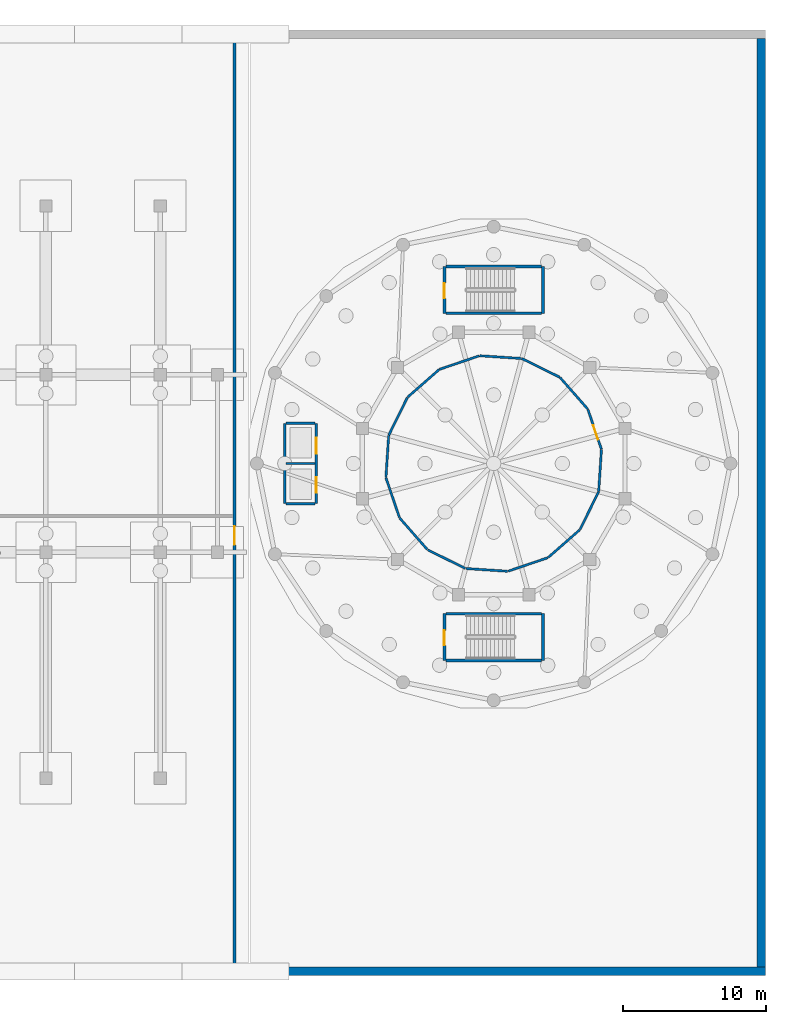
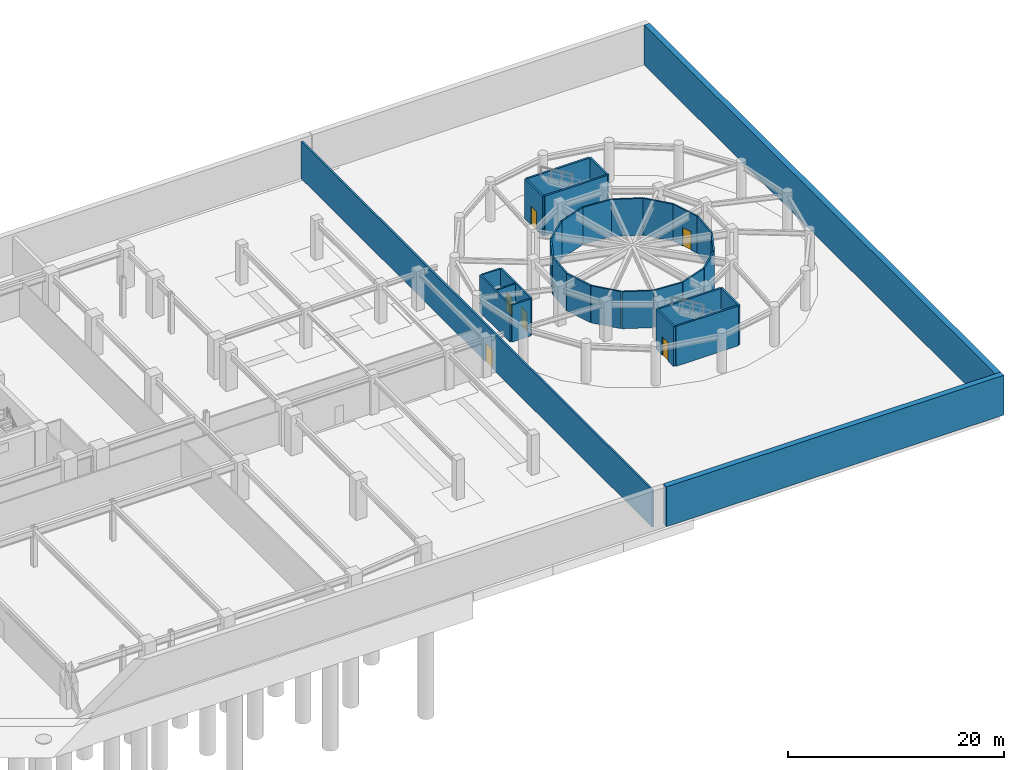
# One storey, part 11 of 15: 32 walls, 6 doors, 6 openings.
"""IFC4 building model written with IfcOpenShell, lengths in metres."""

from ifc_helpers import new_model, si_unit, derived_unit, direction, frame, frame_2d, origin, place, context, subcontext, project, spatial, rectangle, extrude, material, layer, layer_set, type_object, element, fill, save


model = new_model("IFC4")

# Units and contexts
model_context = context("Model", 3, precision=1e-05, world=origin(), true_north=direction((0.0, 1.0)))
body_context = subcontext(model_context, "Body", "Model", "MODEL_VIEW")
ifc_project = project(units=[si_unit("LENGTHUNIT", "METRE"), si_unit("AREAUNIT", "SQUARE_METRE"), si_unit("VOLUMEUNIT", "CUBIC_METRE"), si_unit("PLANEANGLEUNIT", "RADIAN"), si_unit("MASSUNIT", "GRAM", prefix="KILO"), derived_unit("THERMALTRANSMITTANCEUNIT", [(si_unit("POWERUNIT", "WATT"), 1), (si_unit("LENGTHUNIT", "METRE"), -2), (si_unit("THERMODYNAMICTEMPERATUREUNIT", "KELVIN"), -1)])], contexts=[model_context])

# Site, building, storey
site_placement = place(None, origin())
site = spatial("IfcSite", under=ifc_project, at=site_placement, CompositionType="ELEMENT")
building_placement = place(site_placement, origin())
building = spatial("IfcBuilding", under=site, at=building_placement, Name="Korsvarv Bourse and Concert Hall", CompositionType="ELEMENT")
storey_placement = place(building_placement, frame((0.0, 0.0, -9.0)))
storey = spatial("IfcBuildingStorey", under=building, at=storey_placement, Name="B02", CompositionType="ELEMENT", Elevation=-9.0)

# Wall, opening, door
ifc_material_1 = material(Name="Concrete C50/60", Category="concrete")
ifc_layer_1 = layer(ifc_material_1, 0.3798828125)
ifc_layer_set_1 = layer_set([ifc_layer_1], Name="Concrete C50/60")
wall_type_1 = type_object("IfcWallType", Name="WL-CORE-380", PredefinedType="SHEAR", material=ifc_layer_set_1)
wall_1_placement = place(storey_placement, frame((103.35009765625, 46.5, 0.0), z_axis=(0.0, 0.0, 1.0), x_axis=(0.0, 1.0, 0.0)))
wall_1 = element("IfcWall", 1, at=wall_1_placement, inside=storey, type_object=wall_type_1, Name="B02 stair shaft structural wall W-B02-STCH1-W", PredefinedType="SHEAR", context=body_context, shape_type="SweptSolid", body=[
    extrude(rectangle(XDim=3.260009765625, YDim=0.199951171875, at=frame_2d((1.6298828125, 0.0))), origin(), (0.0, 0.0, 1.0), 4.5),
])
opening_1_placement = place(wall_1_placement, frame((1.050048828125, 0.0, 0.0)))
opening_1 = element("IfcOpeningElement", 2, at=opening_1_placement, cuts=wall_1, Name="Opening D-01", PredefinedType="OPENING", context=body_context, shape_type="SweptSolid", body=[
    extrude(rectangle(XDim=1.050048828125, YDim=2.10009765625, at=frame_2d((0.52490234375, 1.050048828125))), frame((0.0, 0.10986328125, 0.0), z_axis=(0.0, -1.0, 0.0), x_axis=(1.0, 0.0, 0.0)), (0.0, 0.0, 1.0), 0.219970703125),
])
ifc_material_2 = material(Name="Steel S355 fire door", Category="steel")
door_type_1 = type_object("IfcDoorType", Name="DR-FD60", OperationType="NOTDEFINED", PredefinedType="DOOR", material=ifc_material_2)
door_1_placement = place(opening_1_placement, origin())
door_1 = element("IfcDoor", 3, at=door_1_placement, inside=storey, type_object=door_type_1, Name="B02 interior door DR-B02-STCH1", OperationType="SINGLE_SWING_RIGHT", OverallHeight=2.10009765625, OverallWidth=1.050048828125, PredefinedType="DOOR", context=body_context, shape_type="SweptSolid", body=[
    extrude(rectangle(XDim=1.050048828125, YDim=2.10009765625, at=frame_2d((0.52490234375, 1.050048828125))), frame((0.0, 0.02490234375, 0.0), z_axis=(0.0, -1.0, 0.0), x_axis=(1.0, 0.0, 0.0)), (0.0, 0.0, 1.0), 0.050048828125),
])
fill(opening_1, door_1)

# Walls
for number, where, z_axis, x_axis, name in (
    (4, (103.4599609375, 49.760009765625, 0.0), (0.0, 0.0, 1.0), (1.0, 0.0, 0.0), "B02 stair shaft structural wall W-B02-STCH1-N"),
    (5, (103.4599609375, 46.5, 0.0), (0.0, 0.0, 1.0), (1.0, 0.0, 0.0), "B02 stair shaft structural wall W-B02-STCH1-S"),
):
    element("IfcWall", number, at=place(storey_placement, frame(where, z_axis=z_axis, x_axis=x_axis)), inside=storey, type_object=wall_type_1, Name=name, PredefinedType="SHEAR", context=body_context, shape_type="SweptSolid", body=[
        extrude(rectangle(XDim=6.679931640625, YDim=0.199951171875, at=frame_2d((3.33984375, 0.0))), origin(), (0.0, 0.0, 1.0), 4.5),
    ])
wall_2_placement = place(storey_placement, frame((110.25, 46.5, 0.0), z_axis=(0.0, 0.0, 1.0), x_axis=(0.0, 1.0, 0.0)))
element("IfcWall", 6, at=wall_2_placement, inside=storey, type_object=wall_type_1, Name="B02 stair shaft structural wall W-B02-STCH1-E", PredefinedType="SHEAR", context=body_context, shape_type="SweptSolid", body=[
    extrude(rectangle(XDim=3.260009765625, YDim=0.199951171875, at=frame_2d((1.6298828125, 0.0))), origin(), (0.0, 0.0, 1.0), 4.5),
])

# Wall, opening, door
wall_3_placement = place(storey_placement, frame((103.35009765625, 22.239990234375, 0.0), z_axis=(0.0, 0.0, 1.0), x_axis=(0.0, 1.0, 0.0)))
wall_3 = element("IfcWall", 7, at=wall_3_placement, inside=storey, type_object=wall_type_1, Name="B02 stair shaft structural wall W-B02-STCH2-W", PredefinedType="SHEAR", context=body_context, shape_type="SweptSolid", body=[
    extrude(rectangle(XDim=3.260009765625, YDim=0.199951171875, at=frame_2d((1.6298828125, 0.0))), origin(), (0.0, 0.0, 1.0), 4.5),
])
opening_2_placement = place(wall_3_placement, frame((1.050048828125, 0.0, 0.0)))
opening_2 = element("IfcOpeningElement", 8, at=opening_2_placement, cuts=wall_3, Name="Opening D-01", PredefinedType="OPENING", context=body_context, shape_type="SweptSolid", body=[
    extrude(rectangle(XDim=1.050048828125, YDim=2.10009765625, at=frame_2d((0.52490234375, 1.050048828125))), frame((0.0, 0.10986328125, 0.0), z_axis=(0.0, -1.0, 0.0), x_axis=(1.0, 0.0, 0.0)), (0.0, 0.0, 1.0), 0.219970703125),
])
door_2_placement = place(opening_2_placement, origin())
door_2 = element("IfcDoor", 9, at=door_2_placement, inside=storey, type_object=door_type_1, Name="B02 interior door DR-B02-STCH2", OperationType="SINGLE_SWING_LEFT", OverallHeight=2.10009765625, OverallWidth=1.050048828125, PredefinedType="DOOR", context=body_context, shape_type="SweptSolid", body=[
    extrude(rectangle(XDim=1.050048828125, YDim=2.10009765625, at=frame_2d((0.52490234375, 1.050048828125))), frame((0.0, 0.02490234375, 0.0), z_axis=(0.0, -1.0, 0.0), x_axis=(1.0, 0.0, 0.0)), (0.0, 0.0, 1.0), 0.050048828125),
])
fill(opening_2, door_2)

# Walls
for number, where, z_axis, x_axis, name in (
    (10, (103.4599609375, 25.5, 0.0), (0.0, 0.0, 1.0), (1.0, 0.0, 0.0), "B02 stair shaft structural wall W-B02-STCH2-N"),
    (11, (103.4599609375, 22.239990234375, 0.0), (0.0, 0.0, 1.0), (1.0, 0.0, 0.0), "B02 stair shaft structural wall W-B02-STCH2-S"),
):
    element("IfcWall", number, at=place(storey_placement, frame(where, z_axis=z_axis, x_axis=x_axis)), inside=storey, type_object=wall_type_1, Name=name, PredefinedType="SHEAR", context=body_context, shape_type="SweptSolid", body=[
        extrude(rectangle(XDim=6.679931640625, YDim=0.199951171875, at=frame_2d((3.33984375, 0.0))), origin(), (0.0, 0.0, 1.0), 4.5),
    ])
wall_4_placement = place(storey_placement, frame((110.25, 22.239990234375, 0.0), z_axis=(0.0, 0.0, 1.0), x_axis=(0.0, 1.0, 0.0)))
element("IfcWall", 12, at=wall_4_placement, inside=storey, type_object=wall_type_1, Name="B02 stair shaft structural wall W-B02-STCH2-E", PredefinedType="SHEAR", context=body_context, shape_type="SweptSolid", body=[
    extrude(rectangle(XDim=3.260009765625, YDim=0.199951171875, at=frame_2d((1.6298828125, 0.0))), origin(), (0.0, 0.0, 1.0), 4.5),
])

# Wall, opening, door
ifc_material_3 = material(Name="Reinforced concrete blockwork C35/45 fire wall", Category="concrete")
ifc_layer_2 = layer(ifc_material_3, 0.199951171875)
ifc_layer_set_2 = layer_set([ifc_layer_2], Name="Reinforced concrete blockwork C35/45 fire wall")
wall_type_2 = type_object("IfcWallType", Name="WL-INT-EI120", PredefinedType="PARTITIONING", material=ifc_layer_set_2)
wall_5_placement = place(storey_placement, frame((88.679931640625, 0.820068359375, 0.0), z_axis=(0.0, 0.0, 1.0), x_axis=(0.0, 1.0, 0.0)))
wall_5 = element("IfcWall", 13, at=wall_5_placement, inside=storey, type_object=wall_type_2, Name="B02 interior partition wall W-B02-BSUB", PredefinedType="PARTITIONING", context=body_context, shape_type="SweptSolid", body=[
    extrude(rectangle(XDim=64.85986328125, YDim=0.199951171875, at=frame_2d((32.429931640625, 0.0))), origin(), (0.0, 0.0, 1.0), 4.179931640625),
])
opening_3_placement = place(wall_5_placement, frame((29.5, 0.0, 0.0)))
opening_3 = element("IfcOpeningElement", 14, at=opening_3_placement, cuts=wall_5, Name="Opening D-04", PredefinedType="OPENING", context=body_context, shape_type="SweptSolid", body=[
    extrude(rectangle(XDim=1.300048828125, YDim=2.10009765625, at=frame_2d((0.64990234375, 1.050048828125))), frame((0.0, 0.10986328125, 0.0), z_axis=(0.0, -1.0, 0.0), x_axis=(1.0, 0.0, 0.0)), (0.0, 0.0, 1.0), 0.219970703125),
])
ifc_material_4 = material(Name="Glazed aluminium double corridor door", Category="aluminium")
door_type_2 = type_object("IfcDoorType", Name="DR-INT-2", OperationType="DOUBLE_DOOR_SINGLE_SWING", PredefinedType="DOOR", material=ifc_material_4)
door_3_placement = place(opening_3_placement, origin())
door_3 = element("IfcDoor", 15, at=door_3_placement, inside=storey, type_object=door_type_2, Name="B02 interior door DR-B02-BSUB", OperationType="DOUBLE_DOOR_SINGLE_SWING", OverallHeight=2.10009765625, OverallWidth=1.300048828125, PredefinedType="DOOR", context=body_context, shape_type="SweptSolid", body=[
    extrude(rectangle(XDim=1.300048828125, YDim=2.10009765625, at=frame_2d((0.64990234375, 1.050048828125))), frame((0.0, 0.02490234375, 0.0), z_axis=(0.0, -1.0, 0.0), x_axis=(1.0, 0.0, 0.0)), (0.0, 0.0, 1.0), 0.050048828125),
])
fill(opening_3, door_3)

ifc_material_5 = material(Name="Double-stud fire-rated acoustic partition", Category="gypsum")
ifc_layer_3 = layer(ifc_material_5, 0.159912109375)
ifc_layer_set_3 = layer_set([ifc_layer_3], Name="Double-stud fire-rated acoustic partition")
wall_type_3 = type_object("IfcWallType", Name="WL-INT-EI60", PredefinedType="PARTITIONING", material=ifc_layer_set_3)
wall_6_placement = place(storey_placement, frame((114.32666015625, 37.0087890625, 0.0), z_axis=(0.0, 0.0, 1.0), x_axis=(-0.321400480784, 0.946943362061, 0.0)))
wall_6 = element("IfcWall", 16, at=wall_6_placement, inside=storey, type_object=wall_type_3, Name="B02 interior partition wall W-B02-CHBW-01", PredefinedType="PARTITIONING", context=body_context, shape_type="SweptSolid", body=[
    extrude(rectangle(XDim=2.92822265625, YDim=0.159912109375, at=frame_2d((1.464111328125, 0.0))), origin(), (0.0, 0.0, 1.0), 4.179931640625),
])
opening_4_placement = place(wall_6_placement, frame((0.699951171875, 0.0, 0.0)))
opening_4 = element("IfcOpeningElement", 17, at=opening_4_placement, cuts=wall_6, Name="Opening D-01", PredefinedType="OPENING", context=body_context, shape_type="SweptSolid", body=[
    extrude(rectangle(XDim=1.050048828125, YDim=2.10009765625, at=frame_2d((0.52490234375, 1.050048828125))), frame((0.0, 0.08984375, 0.0), z_axis=(0.0, -1.0, 0.0), x_axis=(1.0, 0.0, 0.0)), (0.0, 0.0, 1.0), 0.179931640625),
])
door_4_placement = place(opening_4_placement, origin())
door_4 = element("IfcDoor", 18, at=door_4_placement, inside=storey, type_object=door_type_1, Name="B02 interior door DR-B02-CHBW", OperationType="SINGLE_SWING_RIGHT", OverallHeight=2.10009765625, OverallWidth=1.050048828125, PredefinedType="DOOR", context=body_context, shape_type="SweptSolid", body=[
    extrude(rectangle(XDim=1.050048828125, YDim=2.10009765625, at=frame_2d((0.52490234375, 1.050048828125))), frame((0.0, 0.02490234375, 0.0), z_axis=(0.0, -1.0, 0.0), x_axis=(1.0, 0.0, 0.0)), (0.0, 0.0, 1.0), 0.050048828125),
])
fill(opening_4, door_4)

# Walls
wall_7_placement = place(storey_placement, frame((113.36767578125, 39.812255859375, 0.0), z_axis=(0.0, 0.0, 1.0), x_axis=(-0.659318775276, 0.751863519908, 0.0)))
element("IfcWall", 19, at=wall_7_placement, inside=storey, type_object=wall_type_3, Name="B02 interior partition wall W-B02-CHBW-02", PredefinedType="PARTITIONING", context=body_context, shape_type="SweptSolid", body=[
    extrude(rectangle(XDim=2.92822265625, YDim=0.159912109375, at=frame_2d((1.464111328125, 0.0))), origin(), (0.0, 0.0, 1.0), 4.179931640625),
])
wall_8_placement = place(storey_placement, frame((111.408935546875, 42.035400390625, 0.0), z_axis=(0.0, 0.0, 1.0), x_axis=(-0.896881289853, 0.442271355519, 0.0)))
element("IfcWall", 20, at=wall_8_placement, inside=storey, type_object=wall_type_3, Name="B02 interior partition wall W-B02-CHBW-03", PredefinedType="PARTITIONING", context=body_context, shape_type="SweptSolid", body=[
    extrude(rectangle(XDim=2.928466796875, YDim=0.159912109375, at=frame_2d((1.46435546875, 0.0))), origin(), (0.0, 0.0, 1.0), 4.179931640625),
])
for number, where, z_axis, x_axis, name in (
    (21, (108.748291015625, 43.33984375, 0.0), (0.0, 0.0, 1.0), (-0.997861230687, 0.065367914844, 0.0), "B02 interior partition wall W-B02-CHBW-04"),
    (22, (105.791259765625, 43.526611328125, 0.0), (0.0, 0.0, 1.0), (-0.946943362061, -0.321400480784, 0.0), "B02 interior partition wall W-B02-CHBW-05"),
):
    element("IfcWall", number, at=place(storey_placement, frame(where, z_axis=z_axis, x_axis=x_axis)), inside=storey, type_object=wall_type_3, Name=name, PredefinedType="PARTITIONING", context=body_context, shape_type="SweptSolid", body=[
        extrude(rectangle(XDim=2.92822265625, YDim=0.159912109375, at=frame_2d((1.464111328125, 0.0))), origin(), (0.0, 0.0, 1.0), 4.179931640625),
    ])
wall_9_placement = place(storey_placement, frame((102.98779296875, 42.567626953125, 0.0), z_axis=(0.0, 0.0, 1.0), x_axis=(-0.751899759128, -0.659277447076, 0.0)))
element("IfcWall", 23, at=wall_9_placement, inside=storey, type_object=wall_type_3, Name="B02 interior partition wall W-B02-CHBW-06", PredefinedType="PARTITIONING", context=body_context, shape_type="SweptSolid", body=[
    extrude(rectangle(XDim=2.928466796875, YDim=0.159912109375, at=frame_2d((1.46435546875, 0.0))), origin(), (0.0, 0.0, 1.0), 4.179931640625),
])
wall_10_placement = place(storey_placement, frame((100.764404296875, 40.60888671875, 0.0), z_axis=(0.0, 0.0, 1.0), x_axis=(-0.442204290296, -0.896914358032, 0.0)))
element("IfcWall", 24, at=wall_10_placement, inside=storey, type_object=wall_type_3, Name="B02 interior partition wall W-B02-CHBW-07", PredefinedType="PARTITIONING", context=body_context, shape_type="SweptSolid", body=[
    extrude(rectangle(XDim=2.92822265625, YDim=0.159912109375, at=frame_2d((1.464111328125, 0.0))), origin(), (0.0, 0.0, 1.0), 4.179931640625),
])
for number, where, z_axis, x_axis, name in (
    (25, (99.460205078125, 37.948486328125, 0.0), (0.0, 0.0, 1.0), (-0.065362476743, -0.997861586912, 0.0), "B02 interior partition wall W-B02-CHBW-08"),
    (26, (99.273193359375, 34.9912109375, 0.0), (0.0, 0.0, 1.0), (0.321475237926, -0.946917985572, 0.0), "B02 interior partition wall W-B02-CHBW-09"),
):
    element("IfcWall", number, at=place(storey_placement, frame(where, z_axis=z_axis, x_axis=x_axis)), inside=storey, type_object=wall_type_3, Name=name, PredefinedType="PARTITIONING", context=body_context, shape_type="SweptSolid", body=[
        extrude(rectangle(XDim=2.928466796875, YDim=0.159912109375, at=frame_2d((1.46435546875, 0.0))), origin(), (0.0, 0.0, 1.0), 4.179931640625),
    ])
wall_11_placement = place(storey_placement, frame((100.232421875, 32.187744140625, 0.0), z_axis=(0.0, 0.0, 1.0), x_axis=(0.659318775276, -0.751863519908, 0.0)))
element("IfcWall", 27, at=wall_11_placement, inside=storey, type_object=wall_type_3, Name="B02 interior partition wall W-B02-CHBW-10", PredefinedType="PARTITIONING", context=body_context, shape_type="SweptSolid", body=[
    extrude(rectangle(XDim=2.92822265625, YDim=0.159912109375, at=frame_2d((1.464111328125, 0.0))), origin(), (0.0, 0.0, 1.0), 4.179931640625),
])
for number, where, z_axis, x_axis, name in (
    (28, (102.19091796875, 29.964599609375, 0.0), (0.0, 0.0, 1.0), (0.896881289853, -0.442271355519, 0.0), "B02 interior partition wall W-B02-CHBW-11"),
    (29, (104.8515625, 28.66015625, 0.0), (0.0, 0.0, 1.0), (0.997861586912, -0.065362476743, 0.0), "B02 interior partition wall W-B02-CHBW-12"),
    (30, (107.80859375, 28.473388671875, 0.0), (0.0, 0.0, 1.0), (0.946951973263, 0.321375108454, 0.0), "B02 interior partition wall W-B02-CHBW-13"),
):
    element("IfcWall", number, at=place(storey_placement, frame(where, z_axis=z_axis, x_axis=x_axis)), inside=storey, type_object=wall_type_3, Name=name, PredefinedType="PARTITIONING", context=body_context, shape_type="SweptSolid", body=[
        extrude(rectangle(XDim=2.928466796875, YDim=0.159912109375, at=frame_2d((1.46435546875, 0.0))), origin(), (0.0, 0.0, 1.0), 4.179931640625),
    ])
wall_12_placement = place(storey_placement, frame((110.6123046875, 29.432373046875, 0.0), z_axis=(0.0, 0.0, 1.0), x_axis=(0.751863519908, 0.659318775276, 0.0)))
element("IfcWall", 31, at=wall_12_placement, inside=storey, type_object=wall_type_3, Name="B02 interior partition wall W-B02-CHBW-14", PredefinedType="PARTITIONING", context=body_context, shape_type="SweptSolid", body=[
    extrude(rectangle(XDim=2.92822265625, YDim=0.159912109375, at=frame_2d((1.464111328125, 0.0))), origin(), (0.0, 0.0, 1.0), 4.179931640625),
])
for number, where, z_axis, x_axis, name in (
    (32, (112.83544921875, 31.39111328125, 0.0), (0.0, 0.0, 1.0), (0.442271355519, 0.896881289853, 0.0), "B02 interior partition wall W-B02-CHBW-15"),
    (33, (114.139892578125, 34.051513671875, 0.0), (0.0, 0.0, 1.0), (0.065362476743, 0.997861586912, 0.0), "B02 interior partition wall W-B02-CHBW-16"),
):
    element("IfcWall", number, at=place(storey_placement, frame(where, z_axis=z_axis, x_axis=x_axis)), inside=storey, type_object=wall_type_3, Name=name, PredefinedType="PARTITIONING", context=body_context, shape_type="SweptSolid", body=[
        extrude(rectangle(XDim=2.928466796875, YDim=0.159912109375, at=frame_2d((1.46435546875, 0.0))), origin(), (0.0, 0.0, 1.0), 4.179931640625),
    ])

# Wall, openings, doors
ifc_material_6 = material(Name="Gypsum-clad autoclaved concrete shaft wall C30/37", Category="concrete")
ifc_layer_4 = layer(ifc_material_6, 0.179931640625)
ifc_layer_set_4 = layer_set([ifc_layer_4], Name="Gypsum-clad autoclaved concrete shaft wall C30/37")
wall_type_4 = type_object("IfcWallType", Name="WL-INT-EI90", PredefinedType="PARTITIONING", material=ifc_layer_set_4)
wall_13_placement = place(storey_placement, frame((94.39990234375, 33.199951171875, 0.0), z_axis=(0.0, 0.0, 1.0), x_axis=(0.0, 1.0, 0.0)))
wall_13 = element("IfcWall", 34, at=wall_13_placement, inside=storey, type_object=wall_type_4, Name="B02 interior partition wall W-B02-CHLF-E", PredefinedType="PARTITIONING", context=body_context, shape_type="SweptSolid", body=[
    extrude(rectangle(XDim=5.60009765625, YDim=0.179931640625, at=frame_2d((2.800048828125, 0.0))), origin(), (0.0, 0.0, 1.0), 4.179931640625),
])
opening_5_placement = place(wall_13_placement, frame((3.5, 0.0, 0.0)))
opening_5 = element("IfcOpeningElement", 35, at=opening_5_placement, cuts=wall_13, Name="Opening LD-2", PredefinedType="OPENING", context=body_context, shape_type="SweptSolid", body=[
    extrude(rectangle(XDim=1.10009765625, YDim=2.10009765625, at=frame_2d((0.550048828125, 1.050048828125))), frame((0.0, 0.10009765625, 0.0), z_axis=(0.0, -1.0, 0.0), x_axis=(1.0, 0.0, 0.0)), (0.0, 0.0, 1.0), 0.199951171875),
])
opening_6_placement = place(wall_13_placement, frame((0.75, 0.0, 0.0)))
opening_6 = element("IfcOpeningElement", 36, at=opening_6_placement, cuts=wall_13, Name="Opening LD-2", PredefinedType="OPENING", context=body_context, shape_type="SweptSolid", body=[
    extrude(rectangle(XDim=1.10009765625, YDim=2.10009765625, at=frame_2d((0.550048828125, 1.050048828125))), frame((0.0, 0.10009765625, 0.0), z_axis=(0.0, -1.0, 0.0), x_axis=(1.0, 0.0, 0.0)), (0.0, 0.0, 1.0), 0.199951171875),
])
ifc_material_7 = material(Name="Brushed stainless Steel S355 lift landing door", Category="steel")
door_type_3 = type_object("IfcDoorType", Name="DR-LIFT-P", OperationType="DOUBLE_DOOR_SLIDING", PredefinedType="DOOR", material=ifc_material_7)
door_5_placement = place(opening_5_placement, origin())
door_5 = element("IfcDoor", 37, at=door_5_placement, inside=storey, type_object=door_type_3, Name="B02 lift sliding landing door LD-B02-CHL1", OperationType="DOUBLE_DOOR_SLIDING", OverallHeight=2.10009765625, OverallWidth=1.10009765625, PredefinedType="DOOR", context=body_context, shape_type="SweptSolid", body=[
    extrude(rectangle(XDim=1.10009765625, YDim=2.10009765625, at=frame_2d((0.550048828125, 1.050048828125))), frame((0.0, 0.02490234375, 0.0), z_axis=(0.0, -1.0, 0.0), x_axis=(1.0, 0.0, 0.0)), (0.0, 0.0, 1.0), 0.050048828125),
])
fill(opening_5, door_5)
door_6_placement = place(opening_6_placement, origin())
door_6 = element("IfcDoor", 38, at=door_6_placement, inside=storey, type_object=door_type_3, Name="B02 lift sliding landing door LD-B02-CHL2", OperationType="DOUBLE_DOOR_SLIDING", OverallHeight=2.10009765625, OverallWidth=1.10009765625, PredefinedType="DOOR", context=body_context, shape_type="SweptSolid", body=[
    extrude(rectangle(XDim=1.10009765625, YDim=2.10009765625, at=frame_2d((0.550048828125, 1.050048828125))), frame((0.0, 0.02490234375, 0.0), z_axis=(0.0, -1.0, 0.0), x_axis=(1.0, 0.0, 0.0)), (0.0, 0.0, 1.0), 0.050048828125),
])
fill(opening_6, door_6)

# Walls
wall_14_placement = place(storey_placement, frame((92.199951171875, 33.199951171875, 0.0), z_axis=(0.0, 0.0, 1.0), x_axis=(0.0, 1.0, 0.0)))
element("IfcWall", 39, at=wall_14_placement, inside=storey, type_object=wall_type_4, Name="B02 interior partition wall W-B02-CHLF-W", PredefinedType="PARTITIONING", context=body_context, shape_type="SweptSolid", body=[
    extrude(rectangle(XDim=5.60009765625, YDim=0.179931640625, at=frame_2d((2.800048828125, 0.0))), origin(), (0.0, 0.0, 1.0), 4.179931640625),
])
for number, where, z_axis, x_axis, name in (
    (40, (92.300048828125, 38.800048828125, 0.0), (0.0, 0.0, 1.0), (1.0, 0.0, 0.0), "B02 interior partition wall W-B02-CHLF-N"),
    (41, (92.300048828125, 33.199951171875, 0.0), (0.0, 0.0, 1.0), (1.0, 0.0, 0.0), "B02 interior partition wall W-B02-CHLF-S"),
):
    element("IfcWall", number, at=place(storey_placement, frame(where, z_axis=z_axis, x_axis=x_axis)), inside=storey, type_object=wall_type_4, Name=name, PredefinedType="PARTITIONING", context=body_context, shape_type="SweptSolid", body=[
        extrude(rectangle(XDim=2.0, YDim=0.179931640625, at=frame_2d((1.0, 0.0))), origin(), (0.0, 0.0, 1.0), 4.179931640625),
    ])
wall_15_placement = place(storey_placement, frame((92.300048828125, 36.0, 0.0), z_axis=(0.0, 0.0, 1.0), x_axis=(1.0, 0.0, 0.0)))
element("IfcWall", 42, at=wall_15_placement, inside=storey, type_object=wall_type_4, Name="B02 interior partition wall W-B02-CHLF-M", PredefinedType="PARTITIONING", context=body_context, shape_type="SweptSolid", body=[
    extrude(rectangle(XDim=2.0, YDim=0.159912109375, at=frame_2d((1.0, 0.0))), origin(), (0.0, 0.0, 1.0), 4.179931640625),
])
ifc_layer_5 = layer(ifc_material_1, 0.60009765625)
ifc_layer_set_5 = layer_set([ifc_layer_5], Name="Concrete C50/60")
wall_type_5 = type_object("IfcWallType", Name="WL-RET-600", PredefinedType="SOLIDWALL", material=ifc_layer_set_5)
wall_16_placement = place(storey_placement, frame((89.800048828125, 0.5, 0.0), z_axis=(0.0, 0.0, 1.0), x_axis=(1.0, 0.0, 0.0)))
element("IfcWall", 43, at=wall_16_placement, inside=storey, type_object=wall_type_5, Name="B02 Concert-Block South Basement Retaining Wall", PredefinedType="SOLIDWALL", context=body_context, shape_type="SweptSolid", body=[
    extrude(rectangle(XDim=36.0, YDim=0.60009765625, at=frame_2d((18.0, 0.0))), origin(), (0.0, 0.0, 1.0), 4.5),
])
wall_17_placement = place(storey_placement, frame((125.5, 0.800048828125, 0.0), z_axis=(0.0, 0.0, 1.0), x_axis=(0.0, 1.0, 0.0)))
element("IfcWall", 44, at=wall_17_placement, inside=storey, type_object=wall_type_5, Name="B02 East Basement Retaining Wall", PredefinedType="SOLIDWALL", context=body_context, shape_type="SweptSolid", body=[
    extrude(rectangle(XDim=64.89990234375, YDim=0.60009765625, at=frame_2d((32.449951171875, 0.0))), origin(), (0.0, 0.0, 1.0), 4.5),
])

save(model, "model.ifc")
